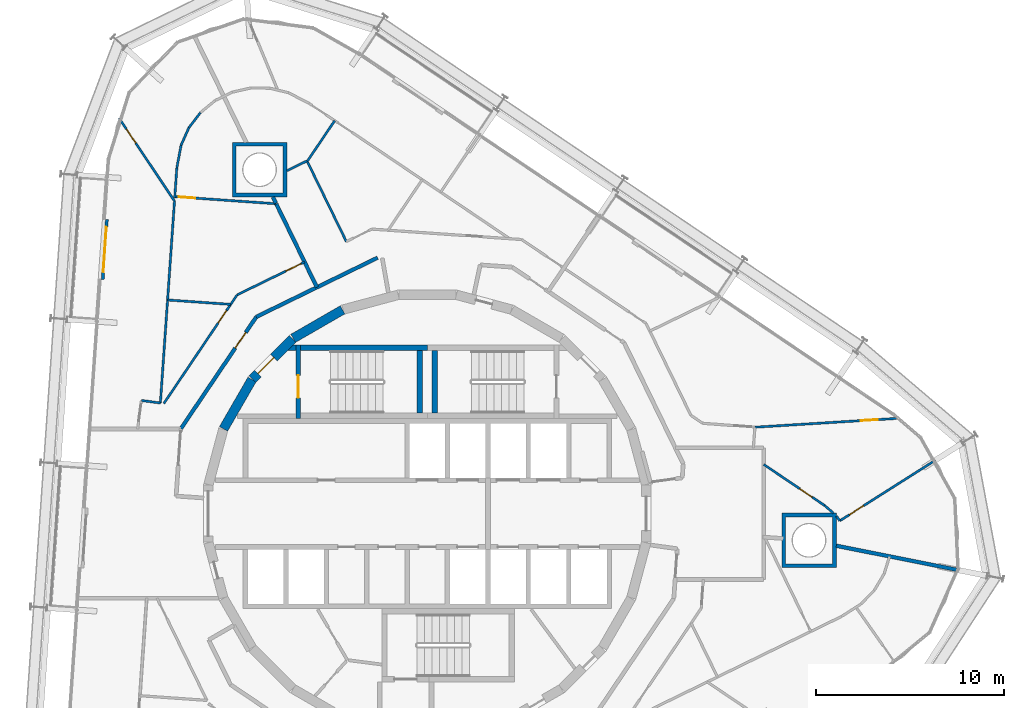
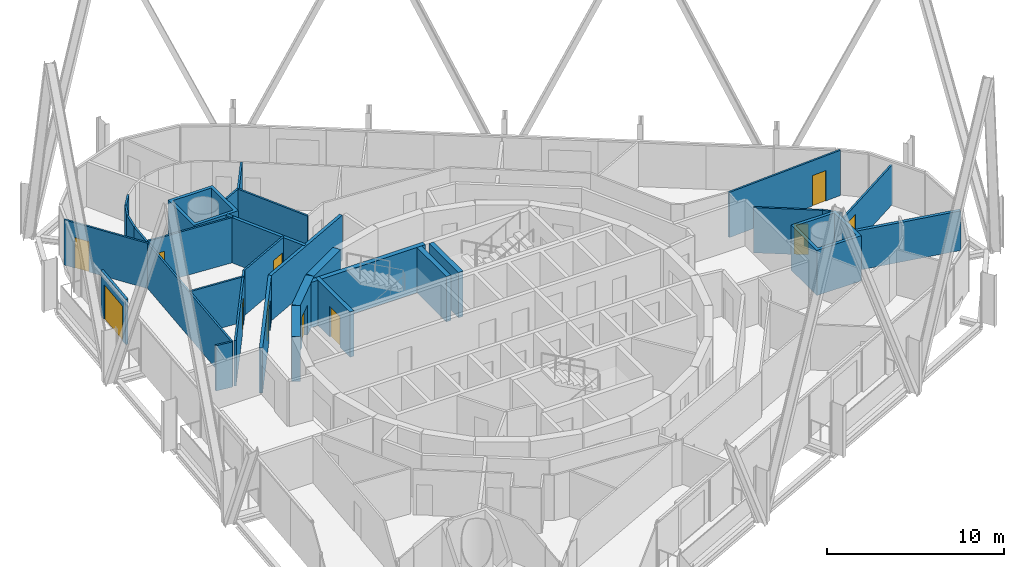
# One storey, part 15 of 18: 35 walls, 11 doors, 11 openings.
"""IFC4 building model written with IfcOpenShell, lengths in metres."""

from ifc_helpers import new_model, si_unit, direction, frame, frame_2d, origin, place, context, subcontext, project, spatial, polyline, rectangle, outline, extrude, material, layer, layer_set, type_object, element, fill, save


model = new_model("IFC4")

# Units and contexts
model_context = context("Model", 3, precision=1e-05, world=origin(), true_north=direction((0.0, 1.0)))
body_context = subcontext(model_context, "Body", "Model", "MODEL_VIEW")
ifc_project = project(units=[si_unit("LENGTHUNIT", "METRE"), si_unit("AREAUNIT", "SQUARE_METRE"), si_unit("VOLUMEUNIT", "CUBIC_METRE"), si_unit("PLANEANGLEUNIT", "RADIAN"), si_unit("MASSUNIT", "GRAM", prefix="KILO")], contexts=[model_context])

# Site, building, storey
site_placement = place(None, origin())
site = spatial("IfcSite", under=ifc_project, at=site_placement, CompositionType="ELEMENT")
building_placement = place(site_placement, origin())
building = spatial("IfcBuilding", under=site, at=building_placement, Name="Spindle Arch Residences", CompositionType="ELEMENT")
storey_placement = place(building_placement, frame((0.0, 0.0, 202.39990234375)))
storey = spatial("IfcBuildingStorey", under=building, at=storey_placement, Name="L51", CompositionType="ELEMENT", Elevation=202.39990234375)

# Wall
ifc_material_1 = material(Name="Concrete C50/60", Category="concrete")
ifc_layer_1 = layer(ifc_material_1, 0.5)
ifc_layer_set_1 = layer_set([ifc_layer_1], Name="Core outline wall 500")
wall_type_1 = type_object("IfcWallType", Name="Core outline wall 500", PredefinedType="SHEAR", material=ifc_layer_set_1)
wall_1_placement = place(storey_placement, frame((-4.510498046875, 10.84521484375, 0.0), z_axis=(0.0, 0.0, 1.0), x_axis=(-0.865975092491, -0.500087131594, 0.0)))
element("IfcWall", 1, at=wall_1_placement, inside=storey, type_object=wall_type_1, Name="Core outline wall 14", PredefinedType="SHEAR", context=body_context, shape_type="SweptSolid", body=[
    extrude(rectangle(XDim=3.03271484375, YDim=0.5, at=frame_2d((1.516357421875, 0.0))), origin(), (0.0, 0.0, 1.0), 3.1201171875),
])

# Wall, opening, door
wall_2_placement = place(storey_placement, frame((-7.163818359375, 9.30810546875, 0.0), z_axis=(0.0, 0.0, 1.0), x_axis=(-0.707106781187, -0.707106781187, 0.0)))
wall_2 = element("IfcWall", 2, at=wall_2_placement, inside=storey, type_object=wall_type_1, Name="Core outline wall 15", PredefinedType="SHEAR", context=body_context, shape_type="SweptSolid", body=[
    extrude(rectangle(XDim=3.032470703125, YDim=0.5, at=frame_2d((1.51611328125, 0.0))), origin(), (0.0, 0.0, 1.0), 3.1201171875),
])
opening_1_placement = place(wall_2_placement, frame((1.416259765625, 0.0, 0.0)))
opening_1 = element("IfcOpeningElement", 3, at=opening_1_placement, cuts=wall_2, Name="Opening R5B0-AD02", PredefinedType="OPENING", context=body_context, shape_type="SweptSolid", body=[
    extrude(rectangle(XDim=1.199951171875, YDim=2.10009765625, at=frame_2d((0.60009765625, 1.050048828125))), frame((0.0, 0.260009765625, 0.0), z_axis=(0.0, -1.0, 0.0), x_axis=(1.0, 0.0, 0.0)), (0.0, 0.0, 1.0), 0.52001953125),
])
ifc_material_2 = material(Name="Steel, fire-resisting door", Category="steel")
door_type_1 = type_object("IfcDoorType", Name="Stair airlock door 1200x2100", OperationType="SINGLE_SWING_LEFT", PredefinedType="DOOR", material=ifc_material_2)
door_1_placement = place(opening_1_placement, origin())
door_1 = element("IfcDoor", 4, at=door_1_placement, inside=storey, type_object=door_type_1, Name="Stair airlock door R5B0-AD02", OperationType="SINGLE_SWING_RIGHT", OverallHeight=2.10009765625, OverallWidth=1.199951171875, PredefinedType="DOOR", context=body_context, shape_type="SweptSolid", body=[
    extrude(rectangle(XDim=1.199951171875, YDim=2.10009765625, at=frame_2d((0.60009765625, 1.050048828125))), frame((0.0, 0.02490234375, 0.0), z_axis=(0.0, -1.0, 0.0), x_axis=(1.0, 0.0, 0.0)), (0.0, 0.0, 1.0), 0.050048828125),
])
fill(opening_1, door_1)

# Walls
wall_3_placement = place(storey_placement, frame((-9.32861328125, 7.13671875, 0.0), z_axis=(0.0, 0.0, 1.0), x_axis=(-0.500087131594, -0.865975092491, 0.0)))
element("IfcWall", 5, at=wall_3_placement, inside=storey, type_object=wall_type_1, Name="Core outline wall 16", PredefinedType="SHEAR", context=body_context, shape_type="SweptSolid", body=[
    extrude(rectangle(XDim=3.03271484375, YDim=0.5, at=frame_2d((1.516357421875, 0.0))), origin(), (0.0, 0.0, 1.0), 3.1201171875),
])
ifc_material_3 = material(Name="Calcium silicate block, plastered")
ifc_layer_2 = layer(ifc_material_3, 0.199951171875)
ifc_layer_set_2 = layer_set([ifc_layer_2], Name="Corridor wall 200")
wall_type_2 = type_object("IfcWallType", Name="Corridor wall 200", PredefinedType="STANDARD", material=ifc_layer_set_2)
wall_4_placement = place(storey_placement, frame((-2.64697265625, 13.617919921875, 0.0), z_axis=(0.0, 0.0, 1.0), x_axis=(-0.898796543751, -0.438366026218, 0.0)))
element("IfcWall", 6, at=wall_4_placement, inside=storey, type_object=wall_type_2, Name="Corridor wall R5B0-W011", PredefinedType="STANDARD", context=body_context, shape_type="SweptSolid", body=[
    extrude(rectangle(XDim=7.18115234375, YDim=0.199951171875, at=frame_2d((3.590576171875, 0.0))), origin(), (0.0, 0.0, 1.0), 3.1201171875),
])

# Wall, opening, door
wall_5_placement = place(storey_placement, frame((-9.101318359375, 10.469970703125, 0.0), z_axis=(0.0, 0.0, 1.0), x_axis=(-0.559195469534, -0.829035841718, 0.0)))
wall_5 = element("IfcWall", 7, at=wall_5_placement, inside=storey, type_object=wall_type_2, Name="Corridor wall R5B0-W012", PredefinedType="STANDARD", context=body_context, shape_type="SweptSolid", body=[
    extrude(rectangle(XDim=7.18115234375, YDim=0.199951171875, at=frame_2d((3.590576171875, 0.0))), origin(), (0.0, 0.0, 1.0), 3.1201171875),
])
opening_2_placement = place(wall_5_placement, frame((1.0, 0.0, 0.0)))
opening_2 = element("IfcOpeningElement", 8, at=opening_2_placement, cuts=wall_5, Name="Opening R5B0-FD03", PredefinedType="OPENING", context=body_context, shape_type="SweptSolid", body=[
    extrude(rectangle(XDim=1.0, YDim=2.10009765625, at=frame_2d((0.5, 1.050048828125))), frame((0.0, 0.10986328125, 0.0), z_axis=(0.0, -1.0, 0.0), x_axis=(1.0, 0.0, 0.0)), (0.0, 0.0, 1.0), 0.219970703125),
])
ifc_material_4 = material(Name="Timber, fire-resisting door set", Category="wood")
door_type_2 = type_object("IfcDoorType", Name="Flat entrance door 1000x2100", OperationType="NOTDEFINED", PredefinedType="DOOR", material=ifc_material_4)
door_2_placement = place(opening_2_placement, origin())
door_2 = element("IfcDoor", 9, at=door_2_placement, inside=storey, type_object=door_type_2, Name="Flat entrance door R5B0-FD03", OperationType="SINGLE_SWING_LEFT", OverallHeight=2.10009765625, OverallWidth=1.0, PredefinedType="DOOR", context=body_context, shape_type="SweptSolid", body=[
    extrude(rectangle(XDim=1.0, YDim=2.10009765625, at=frame_2d((0.5, 1.050048828125))), frame((0.0, 0.02490234375, 0.0), z_axis=(0.0, -1.0, 0.0), x_axis=(1.0, 0.0, 0.0)), (0.0, 0.0, 1.0), 0.050048828125),
])
fill(opening_2, door_2)

# Wall
ifc_material_5 = material(Name="Plasterboard on steel studs", Category="steel")
ifc_layer_3 = layer(ifc_material_5, 0.1201171875)
ifc_layer_set_3 = layer_set([ifc_layer_3], Name="Flat partition 120")
wall_type_3 = type_object("IfcWallType", Name="Flat partition 120", PredefinedType="PARTITIONING", material=ifc_layer_set_3)
wall_6_placement = place(storey_placement, frame((21.610107421875, 0.02978515625, 0.0), z_axis=(0.0, 0.0, 1.0), x_axis=(-0.758532196215, 0.651635563259, 0.0)))
element("IfcWall", 10, at=wall_6_placement, inside=storey, type_object=wall_type_3, Name="Flat partition R5B0-W042", PredefinedType="PARTITIONING", context=body_context, shape_type="SweptSolid", body=[
    extrude(rectangle(XDim=0.618896484375, YDim=0.1201171875, at=frame_2d((0.3095703125, 0.0))), origin(), (0.0, 0.0, 1.0), 3.1201171875),
])

# Wall, opening, door
wall_7_placement = place(storey_placement, frame((21.140625, 0.43310546875, 0.0), z_axis=(0.0, 0.0, 1.0), x_axis=(-0.829049908454, 0.559174614313, 0.0)))
wall_7 = element("IfcWall", 11, at=wall_7_placement, inside=storey, type_object=wall_type_3, Name="Flat partition R5B0-W043", PredefinedType="PARTITIONING", context=body_context, shape_type="SweptSolid", body=[
    extrude(rectangle(XDim=3.908935546875, YDim=0.1201171875, at=frame_2d((1.95458984375, 0.0))), origin(), (0.0, 0.0, 1.0), 3.1201171875),
])
opening_3_placement = place(wall_7_placement, frame((0.800048828125, 0.0, 0.0)))
opening_3 = element("IfcOpeningElement", 12, at=opening_3_placement, cuts=wall_7, Name="Opening R5B0-BD01", PredefinedType="OPENING", context=body_context, shape_type="SweptSolid", body=[
    extrude(rectangle(XDim=0.800048828125, YDim=2.10009765625, at=frame_2d((0.39990234375, 1.050048828125))), frame((0.0, 0.070068359375, 0.0), z_axis=(0.0, -1.0, 0.0), x_axis=(1.0, 0.0, 0.0)), (0.0, 0.0, 1.0), 0.14013671875),
])
ifc_material_6 = material(Name="Timber door set", Category="wood")
door_type_3 = type_object("IfcDoorType", Name="Bathroom door 800x2100", OperationType="NOTDEFINED", PredefinedType="DOOR", material=ifc_material_6)
door_3_placement = place(opening_3_placement, origin())
door_3 = element("IfcDoor", 13, at=door_3_placement, inside=storey, type_object=door_type_3, Name="Bathroom door R5B0-BD01", OperationType="SINGLE_SWING_RIGHT", OverallHeight=2.10009765625, OverallWidth=0.800048828125, PredefinedType="DOOR", context=body_context, shape_type="SweptSolid", body=[
    extrude(rectangle(XDim=0.800048828125, YDim=2.10009765625, at=frame_2d((0.39990234375, 1.050048828125))), frame((0.0, 0.02490234375, 0.0), z_axis=(0.0, -1.0, 0.0), x_axis=(1.0, 0.0, 0.0)), (0.0, 0.0, 1.0), 0.050048828125),
])
fill(opening_3, door_3)

wall_8_placement = place(storey_placement, frame((24.9560546875, 5.0654296875, 0.0), z_axis=(0.0, 0.0, 1.0), x_axis=(-0.998076202118, -0.061999151332, 0.0)))
wall_8 = element("IfcWall", 14, at=wall_8_placement, inside=storey, type_object=wall_type_3, Name="Flat partition R5B0-W044", PredefinedType="PARTITIONING", context=body_context, shape_type="SweptSolid", body=[
    extrude(rectangle(XDim=7.536865234375, YDim=0.1201171875, at=frame_2d((3.7685546875, 0.0))), origin(), (0.0, 0.0, 1.0), 3.1201171875),
])
opening_4_placement = place(wall_8_placement, frame((1.0, 0.0, 0.0)))
opening_4 = element("IfcOpeningElement", 15, at=opening_4_placement, cuts=wall_8, Name="Opening R5B0-ID03", PredefinedType="OPENING", context=body_context, shape_type="SweptSolid", body=[
    extrude(rectangle(XDim=0.89990234375, YDim=2.10009765625, at=frame_2d((0.449951171875, 1.050048828125))), frame((0.0, 0.070068359375, 0.0), z_axis=(0.0, -1.0, 0.0), x_axis=(1.0, 0.0, 0.0)), (0.0, 0.0, 1.0), 0.14013671875),
])
ifc_material_7 = material(Name="Timber door set", Category="wood")
door_type_4 = type_object("IfcDoorType", Name="Room door 900x2100", OperationType="NOTDEFINED", PredefinedType="DOOR", material=ifc_material_7)
door_4_placement = place(opening_4_placement, origin())
door_4 = element("IfcDoor", 16, at=door_4_placement, inside=storey, type_object=door_type_4, Name="Room door R5B0-ID03", OperationType="SINGLE_SWING_LEFT", OverallHeight=2.10009765625, OverallWidth=0.89990234375, PredefinedType="DOOR", context=body_context, shape_type="SweptSolid", body=[
    extrude(rectangle(XDim=0.89990234375, YDim=2.10009765625, at=frame_2d((0.449951171875, 1.050048828125))), frame((0.0, 0.02490234375, 0.0), z_axis=(0.0, -1.0, 0.0), x_axis=(1.0, 0.0, 0.0)), (0.0, 0.0, 1.0), 0.050048828125),
])
fill(opening_4, door_4)

# Walls
wall_9_placement = place(storey_placement, frame((21.77197265625, -0.13623046875, 0.0), z_axis=(0.0, 0.0, 1.0), x_axis=(0.587310294779, -0.809361858285, 0.0)))
element("IfcWall", 17, at=wall_9_placement, inside=storey, type_object=wall_type_3, Name="Flat partition R5B0-W045", PredefinedType="PARTITIONING", context=body_context, shape_type="SweptSolid", body=[
    extrude(rectangle(XDim=0.303466796875, YDim=0.1201171875, at=frame_2d((0.15185546875, 0.0))), origin(), (0.0, 0.0, 1.0), 3.1201171875),
])
wall_10_placement = place(storey_placement, frame((-4.307861328125, 14.476806640625, 0.0), z_axis=(0.0, 0.0, 1.0), x_axis=(-0.43837096777, 0.898794133613, 0.0)))
element("IfcWall", 18, at=wall_10_placement, inside=storey, type_object=wall_type_3, Name="Flat partition R5B0-W050", PredefinedType="PARTITIONING", context=body_context, shape_type="SweptSolid", body=[
    extrude(rectangle(XDim=4.74951171875, YDim=0.1201171875, at=frame_2d((2.374755859375, 0.0))), origin(), (0.0, 0.0, 1.0), 3.1201171875),
])
wall_11_placement = place(storey_placement, frame((-6.402099609375, 18.770751953125, 0.0), z_axis=(0.0, 0.0, 1.0), x_axis=(-0.898797905192, -0.438363234797, 0.0)))
element("IfcWall", 19, at=wall_11_placement, inside=storey, type_object=wall_type_3, Name="Flat partition R5B0-W051", PredefinedType="PARTITIONING", context=body_context, shape_type="SweptSolid", body=[
    extrude(rectangle(XDim=1.194580078125, YDim=0.1201171875, at=frame_2d((0.59716796875, 0.0))), origin(), (0.0, 0.0, 1.0), 3.1201171875),
])
wall_12_placement = place(storey_placement, frame((-4.9287109375, 20.912109375, 0.0), z_axis=(0.0, 0.0, 1.0), x_axis=(-0.559155109057, -0.829063063955, 0.0)))
element("IfcWall", 20, at=wall_12_placement, inside=storey, type_object=wall_type_3, Name="Flat partition R5B0-W058", PredefinedType="PARTITIONING", context=body_context, shape_type="SweptSolid", body=[
    extrude(rectangle(XDim=2.61328125, YDim=0.1201171875, at=frame_2d((1.306640625, 0.0))), origin(), (0.0, 0.0, 1.0), 3.1201171875),
])

# Wall, opening, door
wall_13_placement = place(storey_placement, frame((-6.53173828125, 13.39208984375, 0.0), z_axis=(0.0, 0.0, 1.0), x_axis=(-0.898786663593, -0.438386283256, 0.0)))
wall_13 = element("IfcWall", 21, at=wall_13_placement, inside=storey, type_object=wall_type_3, Name="Flat partition R5B0-W062", PredefinedType="PARTITIONING", context=body_context, shape_type="SweptSolid", body=[
    extrude(rectangle(XDim=3.992431640625, YDim=0.1201171875, at=frame_2d((1.99609375, 0.0))), origin(), (0.0, 0.0, 1.0), 3.1201171875),
])
opening_5_placement = place(wall_13_placement, frame((0.199951171875, 0.0, 0.0)))
opening_5 = element("IfcOpeningElement", 22, at=opening_5_placement, cuts=wall_13, Name="Opening R5B0-ID10", PredefinedType="OPENING", context=body_context, shape_type="SweptSolid", body=[
    extrude(rectangle(XDim=0.89990234375, YDim=2.10009765625, at=frame_2d((0.449951171875, 1.050048828125))), frame((0.0, 0.070068359375, 0.0), z_axis=(0.0, -1.0, 0.0), x_axis=(1.0, 0.0, 0.0)), (0.0, 0.0, 1.0), 0.14013671875),
])
door_5_placement = place(opening_5_placement, origin())
door_5 = element("IfcDoor", 23, at=door_5_placement, inside=storey, type_object=door_type_4, Name="Room door R5B0-ID10", OperationType="SINGLE_SWING_LEFT", OverallHeight=2.10009765625, OverallWidth=0.89990234375, PredefinedType="DOOR", context=body_context, shape_type="SweptSolid", body=[
    extrude(rectangle(XDim=0.89990234375, YDim=2.10009765625, at=frame_2d((0.449951171875, 1.050048828125))), frame((0.0, 0.02490234375, 0.0), z_axis=(0.0, -1.0, 0.0), x_axis=(1.0, 0.0, 0.0)), (0.0, 0.0, 1.0), 0.050048828125),
])
fill(opening_5, door_5)

wall_14_placement = place(storey_placement, frame((-10.1201171875, 11.641845703125, 0.0), z_axis=(0.0, 0.0, 1.0), x_axis=(-0.559200431187, -0.829032494996, 0.0)))
wall_14 = element("IfcWall", 24, at=wall_14_placement, inside=storey, type_object=wall_type_3, Name="Flat partition R5B0-W063", PredefinedType="PARTITIONING", context=body_context, shape_type="SweptSolid", body=[
    extrude(rectangle(XDim=6.97314453125, YDim=0.1201171875, at=frame_2d((3.486572265625, 0.0))), origin(), (0.0, 0.0, 1.0), 3.1201171875),
])
opening_6_placement = place(wall_14_placement, frame((1.01123046875, 0.0, 0.0)))
opening_6 = element("IfcOpeningElement", 25, at=opening_6_placement, cuts=wall_14, Name="Opening R5B0-BD03", PredefinedType="OPENING", context=body_context, shape_type="SweptSolid", body=[
    extrude(rectangle(XDim=0.800048828125, YDim=2.10009765625, at=frame_2d((0.39990234375, 1.050048828125))), frame((0.0, 0.070068359375, 0.0), z_axis=(0.0, -1.0, 0.0), x_axis=(1.0, 0.0, 0.0)), (0.0, 0.0, 1.0), 0.14013671875),
])
door_6_placement = place(opening_6_placement, origin())
door_6 = element("IfcDoor", 26, at=door_6_placement, inside=storey, type_object=door_type_3, Name="Bathroom door R5B0-BD03", OperationType="SINGLE_SWING_LEFT", OverallHeight=2.10009765625, OverallWidth=0.800048828125, PredefinedType="DOOR", context=body_context, shape_type="SweptSolid", body=[
    extrude(rectangle(XDim=0.800048828125, YDim=2.10009765625, at=frame_2d((0.39990234375, 1.050048828125))), frame((0.0, 0.02490234375, 0.0), z_axis=(0.0, -1.0, 0.0), x_axis=(1.0, 0.0, 0.0)), (0.0, 0.0, 1.0), 0.050048828125),
])
fill(opening_6, door_6)

# Walls
wall_15_placement = place(storey_placement, frame((-14.204833984375, 5.885986328125, 0.0), z_axis=(0.0, 0.0, 1.0), x_axis=(-0.990931001278, 0.13437168863, 0.0)))
element("IfcWall", 27, at=wall_15_placement, inside=storey, type_object=wall_type_3, Name="Flat partition R5B0-W064", PredefinedType="PARTITIONING", context=body_context, shape_type="SweptSolid", body=[
    extrude(rectangle(XDim=1.013916015625, YDim=0.1201171875, at=frame_2d((0.5068359375, 0.0))), origin(), (0.0, 0.0, 1.0), 3.1201171875),
])
for number, where, z_axis, x_axis, name in (
    (28, (-12.073486328125, 21.34033203125, 0.0), (0.0, 0.0, 1.0), (-0.606325560855, -0.79521652036, 0.0), "Flat partition R5B0-W067"),
    (29, (-12.689453125, 20.532470703125, 0.0), (0.0, 0.0, 1.0), (-0.406874181998, -0.913484208962, 0.0), "Flat partition R5B0-W068"),
):
    element("IfcWall", number, at=place(storey_placement, frame(where, z_axis=z_axis, x_axis=x_axis)), inside=storey, type_object=wall_type_3, Name=name, PredefinedType="PARTITIONING", context=body_context, shape_type="SweptSolid", body=[
        extrude(rectangle(XDim=1.015869140625, YDim=0.1201171875, at=frame_2d((0.5078125, 0.0))), origin(), (0.0, 0.0, 1.0), 3.1201171875),
    ])
wall_16_placement = place(storey_placement, frame((-13.102783203125, 19.6044921875, 0.0), z_axis=(0.0, 0.0, 1.0), x_axis=(-0.185045330455, -0.982729986149, 0.0)))
element("IfcWall", 30, at=wall_16_placement, inside=storey, type_object=wall_type_3, Name="Flat partition R5B0-W069", PredefinedType="PARTITIONING", context=body_context, shape_type="SweptSolid", body=[
    extrude(rectangle(XDim=1.22705078125, YDim=0.1201171875, at=frame_2d((0.613525390625, 0.0))), origin(), (0.0, 0.0, 1.0), 3.1201171875),
])
wall_17_placement = place(storey_placement, frame((-13.329833984375, 18.398681640625, 0.0), z_axis=(0.0, 0.0, 1.0), x_axis=(-0.069695040349, -0.9975683442, 0.0)))
element("IfcWall", 31, at=wall_17_placement, inside=storey, type_object=wall_type_3, Name="Flat partition R5B0-W070", PredefinedType="PARTITIONING", context=body_context, shape_type="SweptSolid", body=[
    extrude(rectangle(XDim=1.576416015625, YDim=0.1201171875, at=frame_2d((0.7880859375, 0.0))), origin(), (0.0, 0.0, 1.0), 3.1201171875),
])

# Wall, opening, door
wall_18_placement = place(storey_placement, frame((-13.43701171875, 16.8662109375, 0.0), z_axis=(0.0, 0.0, 1.0), x_axis=(0.997564592961, -0.06974871232, 0.0)))
wall_18 = element("IfcWall", 32, at=wall_18_placement, inside=storey, type_object=wall_type_3, Name="Flat partition R5B0-W071", PredefinedType="PARTITIONING", context=body_context, shape_type="SweptSolid", body=[
    extrude(rectangle(XDim=5.407958984375, YDim=0.1201171875, at=frame_2d((2.7041015625, 0.0))), origin(), (0.0, 0.0, 1.0), 3.1201171875),
])
opening_7_placement = place(wall_18_placement, frame((0.199951171875, 0.0, 0.0)))
opening_7 = element("IfcOpeningElement", 33, at=opening_7_placement, cuts=wall_18, Name="Opening R5B0-ID12", PredefinedType="OPENING", context=body_context, shape_type="SweptSolid", body=[
    extrude(rectangle(XDim=0.89990234375, YDim=2.10009765625, at=frame_2d((0.449951171875, 1.050048828125))), frame((0.0, 0.070068359375, 0.0), z_axis=(0.0, -1.0, 0.0), x_axis=(1.0, 0.0, 0.0)), (0.0, 0.0, 1.0), 0.14013671875),
])
door_7_placement = place(opening_7_placement, origin())
door_7 = element("IfcDoor", 34, at=door_7_placement, inside=storey, type_object=door_type_4, Name="Room door R5B0-ID12", OperationType="SINGLE_SWING_LEFT", OverallHeight=2.10009765625, OverallWidth=0.89990234375, PredefinedType="DOOR", context=body_context, shape_type="SweptSolid", body=[
    extrude(rectangle(XDim=0.89990234375, YDim=2.10009765625, at=frame_2d((0.449951171875, 1.050048828125))), frame((0.0, 0.02490234375, 0.0), z_axis=(0.0, -1.0, 0.0), x_axis=(1.0, 0.0, 0.0)), (0.0, 0.0, 1.0), 0.050048828125),
])
fill(opening_7, door_7)

wall_19_placement = place(storey_placement, frame((-16.401611328125, 21.046142578125, 0.0), z_axis=(0.0, 0.0, 1.0), x_axis=(0.555442981062, -0.831554625259, 0.0)))
wall_19 = element("IfcWall", 35, at=wall_19_placement, inside=storey, type_object=wall_type_3, Name="Flat partition R5B0-W072", PredefinedType="PARTITIONING", context=body_context, shape_type="SweptSolid", body=[
    extrude(rectangle(XDim=5.307861328125, YDim=0.1201171875, at=frame_2d((2.65380859375, 0.0))), origin(), (0.0, 0.0, 1.0), 3.1201171875),
])
opening_8_placement = place(wall_19_placement, frame((0.699951171875, 0.0, 0.0)))
opening_8 = element("IfcOpeningElement", 36, at=opening_8_placement, cuts=wall_19, Name="Opening R5B0-ID13", PredefinedType="OPENING", context=body_context, shape_type="SweptSolid", body=[
    extrude(rectangle(XDim=0.89990234375, YDim=2.10009765625, at=frame_2d((0.449951171875, 1.050048828125))), frame((0.0, 0.070068359375, 0.0), z_axis=(0.0, -1.0, 0.0), x_axis=(1.0, 0.0, 0.0)), (0.0, 0.0, 1.0), 0.14013671875),
])
door_8_placement = place(opening_8_placement, origin())
door_8 = element("IfcDoor", 37, at=door_8_placement, inside=storey, type_object=door_type_4, Name="Room door R5B0-ID13", OperationType="SINGLE_SWING_LEFT", OverallHeight=2.10009765625, OverallWidth=0.89990234375, PredefinedType="DOOR", context=body_context, shape_type="SweptSolid", body=[
    extrude(rectangle(XDim=0.89990234375, YDim=2.10009765625, at=frame_2d((0.449951171875, 1.050048828125))), frame((0.0, 0.02490234375, 0.0), z_axis=(0.0, -1.0, 0.0), x_axis=(1.0, 0.0, 0.0)), (0.0, 0.0, 1.0), 0.050048828125),
])
fill(opening_8, door_8)

# Walls
wall_20_placement = place(storey_placement, frame((-13.453369140625, 16.63232421875, 0.0), z_axis=(0.0, 0.0, 1.0), x_axis=(-0.069757184581, -0.997564000553, 0.0)))
element("IfcWall", 38, at=wall_20_placement, inside=storey, type_object=wall_type_3, Name="Flat partition R5B0-W073", PredefinedType="PARTITIONING", context=body_context, shape_type="SweptSolid", body=[
    extrude(rectangle(XDim=10.7724609375, YDim=0.1201171875, at=frame_2d((5.38623046875, 0.0))), origin(), (0.0, 0.0, 1.0), 3.1201171875),
])
wall_21_placement = place(storey_placement, frame((-13.8212890625, 11.3701171875, 0.0), z_axis=(0.0, 0.0, 1.0), x_axis=(0.997559977048, -0.069814698975, 0.0)))
element("IfcWall", 39, at=wall_21_placement, inside=storey, type_object=wall_type_3, Name="Flat partition R5B0-W074", PredefinedType="PARTITIONING", context=body_context, shape_type="SweptSolid", body=[
    extrude(rectangle(XDim=3.36767578125, YDim=0.1201171875, at=frame_2d((1.683837890625, 0.0))), origin(), (0.0, 0.0, 1.0), 3.1201171875),
])

# Wall, opening, door
ifc_material_8 = material(Name="Plasterboard on steel studs", Category="steel")
ifc_layer_4 = layer(ifc_material_8, 0.1201171875)
ifc_layer_set_4 = layer_set([ifc_layer_4], Name="Flat partition 120 under beam 2730")
wall_type_4 = type_object("IfcWallType", Name="Flat partition 120 under beam 2730", PredefinedType="PARTITIONING", material=ifc_layer_set_4)
wall_22_placement = place(storey_placement, frame((21.9501953125, -0.3818359375, 0.0), z_axis=(0.0, 0.0, 1.0), x_axis=(0.844596663126, 0.535403097336, 0.0)))
wall_22 = element("IfcWall", 40, at=wall_22_placement, inside=storey, type_object=wall_type_4, Name="Flat partition R5B0-W046", PredefinedType="PARTITIONING", context=body_context, shape_type="SweptSolid", body=[
    extrude(rectangle(XDim=6.022216796875, YDim=0.1201171875, at=frame_2d((3.01123046875, 0.0))), origin(), (0.0, 0.0, 1.0), 2.72998046875),
])
opening_9_placement = place(wall_22_placement, frame((0.60009765625, 0.0, 0.0)))
opening_9 = element("IfcOpeningElement", 41, at=opening_9_placement, cuts=wall_22, Name="Opening R5B0-ID04", PredefinedType="OPENING", context=body_context, shape_type="SweptSolid", body=[
    extrude(rectangle(XDim=0.89990234375, YDim=2.10009765625, at=frame_2d((0.449951171875, 1.050048828125))), frame((0.0, 0.070068359375, 0.0), z_axis=(0.0, -1.0, 0.0), x_axis=(1.0, 0.0, 0.0)), (0.0, 0.0, 1.0), 0.14013671875),
])
door_9_placement = place(opening_9_placement, origin())
door_9 = element("IfcDoor", 42, at=door_9_placement, inside=storey, type_object=door_type_4, Name="Room door R5B0-ID04", OperationType="SINGLE_SWING_LEFT", OverallHeight=2.10009765625, OverallWidth=0.89990234375, PredefinedType="DOOR", context=body_context, shape_type="SweptSolid", body=[
    extrude(rectangle(XDim=0.89990234375, YDim=2.10009765625, at=frame_2d((0.449951171875, 1.050048828125))), frame((0.0, 0.02490234375, 0.0), z_axis=(0.0, -1.0, 0.0), x_axis=(1.0, 0.0, 0.0)), (0.0, 0.0, 1.0), 0.050048828125),
])
fill(opening_9, door_9)

# Walls
ifc_material_9 = material(Name="Calcium silicate block, plastered")
ifc_layer_5 = layer(ifc_material_9, 0.199951171875)
ifc_layer_set_5 = layer_set([ifc_layer_5], Name="Flat party wall 200")
wall_type_5 = type_object("IfcWallType", Name="Flat party wall 200", PredefinedType="STANDARD", material=ifc_layer_set_5)
wall_23_placement = place(storey_placement, frame((-8.042236328125, 16.489013671875, 0.0), z_axis=(0.0, 0.0, 1.0), x_axis=(0.438345825707, -0.898806395774, 0.0)))
element("IfcWall", 43, at=wall_23_placement, inside=storey, type_object=wall_type_5, Name="Flat party wall R5B0-W030", PredefinedType="STANDARD", context=body_context, shape_type="SweptSolid", body=[
    extrude(rectangle(XDim=4.94580078125, YDim=0.199951171875, at=frame_2d((2.472900390625, 0.0))), origin(), (0.0, 0.0, 1.0), 3.1201171875),
])
wall_24_placement = place(storey_placement, frame((-8.21875, 16.850830078125, 0.0), z_axis=(0.0, 0.0, 1.0), x_axis=(0.438281645094, -0.898837693676, 0.0)))
element("IfcWall", 44, at=wall_24_placement, inside=storey, type_object=wall_type_5, Name="Flat party wall R5B0-W031", PredefinedType="STANDARD", context=body_context, shape_type="SweptSolid", body=[
    extrude(rectangle(XDim=0.37255859375, YDim=0.199951171875, at=frame_2d((0.186279296875, 0.0))), origin(), (0.0, 0.0, 1.0), 3.1201171875),
])
ifc_material_10 = material(Name="Calcium silicate block, plastered")
ifc_layer_6 = layer(ifc_material_10, 0.199951171875)
ifc_layer_set_6 = layer_set([ifc_layer_6], Name="Flat party wall 200 under beam 2730")
wall_type_6 = type_object("IfcWallType", Name="Flat party wall 200 under beam 2730", PredefinedType="STANDARD", material=ifc_layer_set_6)
wall_25_placement = place(storey_placement, frame((21.761962890625, -1.70947265625, 0.0), z_axis=(0.0, 0.0, 1.0), x_axis=(0.980707365343, -0.195481619501, 0.0)))
element("IfcWall", 45, at=wall_25_placement, inside=storey, type_object=wall_type_6, Name="Flat party wall R5B0-W029", PredefinedType="STANDARD", context=body_context, shape_type="SweptSolid", body=[
    extrude(rectangle(XDim=6.511962890625, YDim=0.199951171875, at=frame_2d((3.255859375, 0.0))), origin(), (0.0, 0.0, 1.0), 2.72998046875),
])

# Wall, opening, door
ifc_material_11 = material(Name="Non-combustible mineral wool insulated aluminium faced external wall (K0)", Category="aluminium")
ifc_layer_7 = layer(ifc_material_11, 0.159912109375)
ifc_layer_set_7 = layer_set([ifc_layer_7], Name="Insulated external wall panel 160")
wall_type_7 = type_object("IfcWallType", Name="Insulated external wall panel 160", PredefinedType="STANDARD", material=ifc_layer_set_7)
wall_26_placement = place(storey_placement, frame((-17.050537109375, 15.650390625, 0.0), z_axis=(0.0, 0.0, 1.0), x_axis=(-0.069734222855, -0.997565605944, 0.0)))
wall_26 = element("IfcWall", 46, at=wall_26_placement, inside=storey, type_object=wall_type_7, Name="External wall L51 bay 13", PredefinedType="STANDARD", context=body_context, shape_type="SweptSolid", body=[
    extrude(rectangle(XDim=3.199951171875, YDim=0.159912109375, at=frame_2d((1.60009765625, 0.0))), origin(), (0.0, 0.0, 1.0), 3.1201171875),
])
opening_10_placement = place(wall_26_placement, frame((0.39990234375, 0.0, 0.0)))
opening_10 = element("IfcOpeningElement", 47, at=opening_10_placement, cuts=wall_26, Name="Opening BD13", PredefinedType="OPENING", context=body_context, shape_type="SweptSolid", body=[
    extrude(rectangle(XDim=2.39990234375, YDim=2.39990234375, at=frame_2d((1.199951171875, 1.199951171875))), frame((0.0, 0.08984375, 0.0), z_axis=(0.0, -1.0, 0.0), x_axis=(1.0, 0.0, 0.0)), (0.0, 0.0, 1.0), 0.179931640625),
])
ifc_material_12 = material(Name="Bronze aluminium frame, tinted double glazing", Category="aluminium")
door_type_5 = type_object("IfcDoorType", Name="Sliding glazed balcony door 2400x2400", OperationType="DOUBLE_DOOR_SLIDING", PredefinedType="DOOR", material=ifc_material_12)
door_10_placement = place(opening_10_placement, origin())
door_10 = element("IfcDoor", 48, at=door_10_placement, inside=storey, type_object=door_type_5, Name="Balcony door BD13", OperationType="DOUBLE_DOOR_SLIDING", OverallHeight=2.39990234375, OverallWidth=2.39990234375, PredefinedType="DOOR", context=body_context, shape_type="SweptSolid", body=[
    extrude(rectangle(XDim=2.39990234375, YDim=2.39990234375, at=frame_2d((1.199951171875, 1.199951171875))), frame((0.0, 0.02490234375, 0.0), z_axis=(0.0, -1.0, 0.0), x_axis=(1.0, 0.0, 0.0)), (0.0, 0.0, 1.0), 0.050048828125),
])
fill(opening_10, door_10)

# Walls
ifc_material_13 = material(Name="Calcium silicate block, plastered")
ifc_layer_8 = layer(ifc_material_13, 0.199951171875)
ifc_layer_set_8 = layer_set([ifc_layer_8], Name="Mega-column casing wall 200")
wall_type_8 = type_object("IfcWallType", Name="Mega-column casing wall 200", PredefinedType="STANDARD", material=ifc_layer_set_8)
wall_27_placement = place(storey_placement, origin())
element("IfcWall", 49, at=wall_27_placement, inside=storey, type_object=wall_type_8, Name="Mega-column casing wall R5B0-WC01", PredefinedType="STANDARD", context=body_context, shape_type="SweptSolid", body=[
    extrude(outline(polyline([(-7.475830078125, 19.750732421875), (-7.475830078125, 16.850830078125), (-10.3759765625, 16.850830078125), (-10.3759765625, 19.750732421875), (-7.475830078125, 19.750732421875)]), holes=[polyline([(-10.17578125, 17.05078125), (-7.67578125, 17.05078125), (-7.67578125, 19.55078125), (-10.17578125, 19.55078125), (-10.17578125, 17.05078125)])]), origin(), (0.0, 0.0, 1.0), 3.1201171875),
])
wall_28_placement = place(storey_placement, origin())
element("IfcWall", 50, at=wall_28_placement, inside=storey, type_object=wall_type_8, Name="Mega-column casing wall R5B0-WC03", PredefinedType="STANDARD", context=body_context, shape_type="SweptSolid", body=[
    extrude(outline(polyline([(21.761962890625, 0.02978515625), (21.761962890625, -2.870361328125), (18.86181640625, -2.870361328125), (18.86181640625, 0.02978515625), (21.761962890625, 0.02978515625)]), holes=[polyline([(19.06201171875, -2.67041015625), (21.56201171875, -2.67041015625), (21.56201171875, -0.17041015625), (19.06201171875, -0.17041015625), (19.06201171875, -2.67041015625)])]), origin(), (0.0, 0.0, 1.0), 3.1201171875),
])
ifc_material_14 = material(Name="Concrete C40/50", Category="concrete")
wall_type_9 = type_object("IfcWallType", Name="Stair airlock wall profile", PredefinedType="SHEAR", material=ifc_material_14)
wall_29_placement = place(storey_placement, origin())
element("IfcWall", 51, at=wall_29_placement, inside=storey, type_object=wall_type_9, Name="Stair ST-2 airlock wall N", PredefinedType="SHEAR", context=body_context, shape_type="SweptSolid", body=[
    extrude(outline(polyline([(-7.148193359375, 8.969970703125), (-7.0, 8.969970703125), (-7.0, 8.669921875), (-7.4482421875, 8.669921875), (-7.148193359375, 8.969970703125)])), origin(), (0.0, 0.0, 1.0), 3.1201171875),
])

# Wall, opening, door
ifc_material_15 = material(Name="Concrete C50/60", Category="concrete")
ifc_layer_9 = layer(ifc_material_15, 0.25)
ifc_layer_set_9 = layer_set([ifc_layer_9], Name="Stair enclosure wall 250")
wall_type_10 = type_object("IfcWallType", Name="Stair enclosure wall 250", PredefinedType="SHEAR", material=ifc_layer_set_9)
wall_30_placement = place(storey_placement, frame((-6.875, 8.969970703125, 0.0), z_axis=(0.0, 0.0, 1.0), x_axis=(0.0, -1.0, 0.0)))
wall_30 = element("IfcWall", 52, at=wall_30_placement, inside=storey, type_object=wall_type_10, Name="Stair ST-2 door wall", PredefinedType="SHEAR", context=body_context, shape_type="SweptSolid", body=[
    extrude(rectangle(XDim=3.919921875, YDim=0.25, at=frame_2d((1.9599609375, 0.0))), origin(), (0.0, 0.0, 1.0), 3.1201171875),
])
opening_11_placement = place(wall_30_placement, frame((1.610107421875, 0.0, 0.0)))
opening_11 = element("IfcOpeningElement", 53, at=opening_11_placement, cuts=wall_30, Name="Opening R5B0-SD02", PredefinedType="OPENING", context=body_context, shape_type="SweptSolid", body=[
    extrude(rectangle(XDim=1.199951171875, YDim=2.10009765625, at=frame_2d((0.60009765625, 1.050048828125))), frame((0.0, 0.135009765625, 0.0), z_axis=(0.0, -1.0, 0.0), x_axis=(1.0, 0.0, 0.0)), (0.0, 0.0, 1.0), 0.27001953125),
])
ifc_material_16 = material(Name="Steel, fire-resisting door", Category="steel")
door_type_6 = type_object("IfcDoorType", Name="Stair door 1200x2100", OperationType="SINGLE_SWING_RIGHT", PredefinedType="DOOR", material=ifc_material_16)
door_11_placement = place(opening_11_placement, origin())
door_11 = element("IfcDoor", 54, at=door_11_placement, inside=storey, type_object=door_type_6, Name="Stair door R5B0-SD02", OperationType="SINGLE_SWING_LEFT", OverallHeight=2.10009765625, OverallWidth=1.199951171875, PredefinedType="DOOR", context=body_context, shape_type="SweptSolid", body=[
    extrude(rectangle(XDim=1.199951171875, YDim=2.10009765625, at=frame_2d((0.60009765625, 1.050048828125))), frame((0.0, 0.02490234375, 0.0), z_axis=(0.0, -1.0, 0.0), x_axis=(1.0, 0.0, 0.0)), (0.0, 0.0, 1.0), 0.050048828125),
])
fill(opening_11, door_11)

# Walls
ifc_material_17 = material(Name="Concrete C50/60", Category="concrete")
ifc_layer_10 = layer(ifc_material_17, 0.300048828125)
ifc_layer_set_10 = layer_set([ifc_layer_10], Name="Stair enclosure wall 300")
wall_type_11 = type_object("IfcWallType", Name="Stair enclosure wall 300", PredefinedType="SHEAR", material=ifc_layer_set_10)
wall_31_placement = place(storey_placement, frame((0.39990234375, 5.35009765625, 0.0), z_axis=(0.0, 0.0, 1.0), x_axis=(0.0, 1.0, 0.0)))
element("IfcWall", 55, at=wall_31_placement, inside=storey, type_object=wall_type_11, Name="Stair ST-1 enclosure wall F", PredefinedType="SHEAR", context=body_context, shape_type="SweptSolid", body=[
    extrude(rectangle(XDim=3.31982421875, YDim=0.300048828125, at=frame_2d((1.659912109375, 0.0))), origin(), (0.0, 0.0, 1.0), 3.1201171875),
])
wall_32_placement = place(storey_placement, frame((-6.75, 8.820068359375, 0.0), z_axis=(0.0, 0.0, 1.0), x_axis=(1.0, 0.0, 0.0)))
element("IfcWall", 56, at=wall_32_placement, inside=storey, type_object=wall_type_11, Name="Stair ST-2 enclosure wall N", PredefinedType="SHEAR", context=body_context, shape_type="SweptSolid", body=[
    extrude(rectangle(XDim=6.75, YDim=0.300048828125, at=frame_2d((3.375, 0.0))), origin(), (0.0, 0.0, 1.0), 3.1201171875),
])
wall_33_placement = place(storey_placement, frame((-0.39990234375, 5.35009765625, 0.0), z_axis=(0.0, 0.0, 1.0), x_axis=(0.0, 1.0, 0.0)))
element("IfcWall", 57, at=wall_33_placement, inside=storey, type_object=wall_type_11, Name="Stair ST-2 enclosure wall F", PredefinedType="SHEAR", context=body_context, shape_type="SweptSolid", body=[
    extrude(rectangle(XDim=3.31982421875, YDim=0.300048828125, at=frame_2d((1.659912109375, 0.0))), origin(), (0.0, 0.0, 1.0), 3.1201171875),
])

save(model, "model.ifc")
